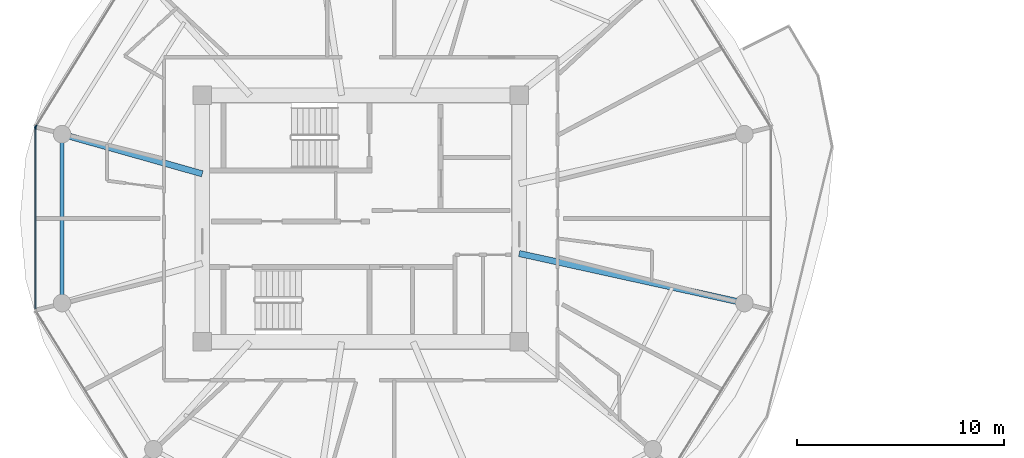
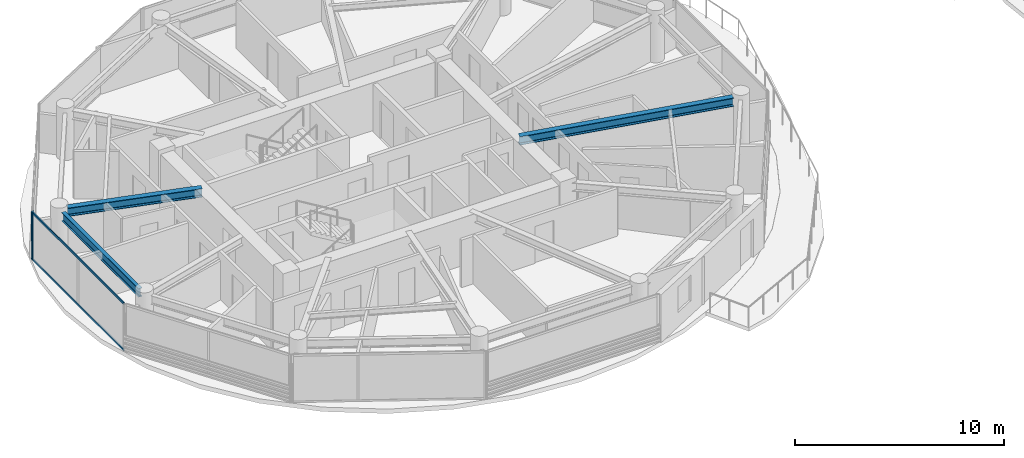
# One storey, part 3 of 22: 4 members, 3 beams, 2 elements without a shape of their own.
"""IFC4 building model written with IfcOpenShell, lengths in metres."""

from ifc_helpers import new_model, si_unit, direction, frame, origin, origin_2d, place, context, subcontext, project, spatial, rectangle, i_section, extrude, source, transform, mapped, material, layer, layer_set, material_profile, profile_set, type_object, type_shapes, element, aggregate, save


model = new_model("IFC4")

# Units and contexts
model_context = context("Model", 3, precision=1e-05, world=origin(), true_north=direction((0.0, 1.0)))
body_context = subcontext(model_context, "Body", "Model", "MODEL_VIEW")
ifc_project = project(units=[si_unit("LENGTHUNIT", "METRE"), si_unit("AREAUNIT", "SQUARE_METRE"), si_unit("VOLUMEUNIT", "CUBIC_METRE"), si_unit("PLANEANGLEUNIT", "RADIAN"), si_unit("MASSUNIT", "GRAM", prefix="KILO")], contexts=[model_context])

# Site, building, storey
site_placement = place(None, origin())
site = spatial("IfcSite", under=ifc_project, at=site_placement, CompositionType="ELEMENT")
building_placement = place(site_placement, origin())
building = spatial("IfcBuilding", under=site, at=building_placement, Name="Norrkilde Senior Care Towers", CompositionType="ELEMENT")
storey_placement = place(building_placement, frame((0.0, 0.0, 123.699951171875)))
storey = spatial("IfcBuildingStorey", under=building, at=storey_placement, Name="L38", CompositionType="ELEMENT", Elevation=123.699951171875)

# Beams
ifc_material_1 = material(Name="Steel S355", Category="steel")
ifc_material_profile_1 = material_profile(ifc_material_1, i_section(OverallWidth=0.300048828125, OverallDepth=0.5, WebThickness=0.014404296875, FlangeThickness=0.028076171875, FilletRadius=0.027099609375, at=origin_2d()), Name="HEB 500")
ifc_profile_set_1 = profile_set([ifc_material_profile_1], Name="Steel S355")
beam_type_1 = type_object("IfcBeamType", Name="Radial Floor Beam Z2 HEB500", PredefinedType="BEAM", material=ifc_profile_set_1)
shared_shape_1 = source(origin(), body_context, "Body", "SweptSolid", [
    extrude(i_section(OverallWidth=0.300048828125, OverallDepth=0.5, WebThickness=0.014404296875, FlangeThickness=0.028076171875, FilletRadius=0.027099609375, at=origin_2d()), origin(), (0.0, 0.0, 1.0), 10.744384765625),
])
beam_1_placement = place(storey_placement, frame((-20.35009765625, -1.683837890625, 2.5400390625), z_axis=(0.976618711422, -0.214978818724, 0.0), x_axis=(0.214978818724, 0.976618711422, 0.0)))
element("IfcBeam", 1, at=beam_1_placement, inside=storey, type_object=beam_type_1, Name="L38 Drum W Radial Floor Beam 12", PredefinedType="BEAM", context=body_context, shape_type="MappedRepresentation", body=[
    mapped(shared_shape_1, transform((0.0, 0.0, 0.0), x_axis=(1.0, 0.0, 0.0), y_axis=(0.0, 1.0, 0.0), z_axis=(0.0, 0.0, 1.0), scale=1.0)),
])
ifc_material_profile_2 = material_profile(ifc_material_1, i_section(OverallWidth=0.199951171875, OverallDepth=0.5, WebThickness=0.01025390625, FlangeThickness=0.01611328125, FilletRadius=0.02099609375, at=origin_2d()), Name="IPE 500")
ifc_profile_set_2 = profile_set([ifc_material_profile_2], Name="Steel S355")
beam_type_2 = type_object("IfcBeamType", Name="Perimeter Ring Spandrel Z2 IPE500", PredefinedType="SPANDREL", material=ifc_profile_set_2)
shared_shape_2 = source(origin(), body_context, "Body", "SweptSolid", [
    extrude(i_section(OverallWidth=0.199951171875, OverallDepth=0.5, WebThickness=0.01025390625, FlangeThickness=0.01611328125, FilletRadius=0.02099609375, at=origin_2d()), origin(), (0.0, 0.0, 1.0), 7.3828125),
])
type_shapes(beam_type_2, [shared_shape_2])
beam_2_placement = place(storey_placement, frame((-42.4189453125, 3.69140625, 2.5400390625), z_axis=(0.0, -1.0, 0.0), x_axis=(1.0, 0.0, 0.0)))
element("IfcBeam", 2, at=beam_2_placement, inside=storey, type_object=beam_type_2, Name="L38 Drum W Perimeter Spandrel 06", PredefinedType="SPANDREL", context=body_context, shape_type="MappedRepresentation", body=[
    mapped(shared_shape_2, transform((0.0, 0.0, 0.0), x_axis=(1.0, 0.0, 0.0), y_axis=(0.0, 1.0, 0.0), z_axis=(0.0, 0.0, 1.0), scale=1.0)),
])
shared_shape_3 = source(origin(), body_context, "Body", "SweptSolid", [
    extrude(i_section(OverallWidth=0.300048828125, OverallDepth=0.5, WebThickness=0.014404296875, FlangeThickness=0.028076171875, FilletRadius=0.027099609375, at=origin_2d()), origin(), (0.0, 0.0, 1.0), 6.6494140625),
])
type_shapes(beam_type_1, [shared_shape_1, shared_shape_3])
beam_3_placement = place(storey_placement, frame((-35.64990234375, 2.162841796875, 2.5400390625), z_axis=(-0.962289138357, 0.27202870106, 0.0), x_axis=(-0.27202870106, -0.962289138357, 0.0)))
element("IfcBeam", 3, at=beam_3_placement, inside=storey, type_object=beam_type_1, Name="L38 Drum W Radial Floor Beam 06", PredefinedType="BEAM", context=body_context, shape_type="MappedRepresentation", body=[
    mapped(shared_shape_3, transform((0.0, 0.0, 0.0), x_axis=(1.0, 0.0, 0.0), y_axis=(0.0, 1.0, 0.0), z_axis=(0.0, 0.0, 1.0), scale=1.0)),
])

# Curtain wall, member
ifc_material_2 = material(Name="Triple Low-E Insulated Glazing", Category="glass")
ifc_layer = layer(ifc_material_2, 0.195068359375)
ifc_layer_set = layer_set([ifc_layer], Name="Triple Low-E Insulated Glazing")
curtain_wall_type = type_object("IfcCurtainWallType", Name="CW3 Zone 2 Assisted Living Curtain Wall", PredefinedType="NOTDEFINED", material=ifc_layer_set)
curtain_wall_1_placement = place(storey_placement, origin())
curtain_wall_1 = element("IfcCurtainWall", 4, at=curtain_wall_1_placement, inside=storey, type_object=curtain_wall_type, Name="L38 Drum W Curtain Wall 04", PredefinedType="NOTDEFINED")
ifc_material_3 = material(Name="Anodised Aluminium", Category="aluminium")
ifc_material_profile_3 = material_profile(ifc_material_3, rectangle(XDim=0.06494140625, YDim=0.159912109375, at=origin_2d()), Name="ALU MULL 65x160")
ifc_profile_set_3 = profile_set([ifc_material_profile_3], Name="Anodised Aluminium")
member_type_1 = type_object("IfcMemberType", Name="Curtain Wall Mullion Z1-Z2 65x160", PredefinedType="MULLION", material=ifc_profile_set_3)
shared_shape_4 = source(origin(), body_context, "Body", "SweptSolid", [
    extrude(rectangle(XDim=0.06494140625, YDim=0.159912109375, at=origin_2d()), origin(), (0.0, 0.0, 1.0), 2.7900390625),
])
type_shapes(member_type_1, [shared_shape_4])
member_1_placement = place(storey_placement, frame((-43.6865234375, 4.4482421875, 0.0), z_axis=(0.0, 0.0, 1.0), x_axis=(-0.849410171862, 0.527733228002, 0.0)))
member_1 = element("IfcMember", 5, at=member_1_placement, type_object=member_type_1, Name="CW-3 mullion 1", PredefinedType="MULLION", context=body_context, shape_type="MappedRepresentation", body=[
    mapped(shared_shape_4, transform((0.0, 0.0, 0.0), x_axis=(1.0, 0.0, 0.0), y_axis=(0.0, 1.0, 0.0), z_axis=(0.0, 0.0, 1.0), scale=1.0)),
])
aggregate(curtain_wall_1, [member_1])

# Curtain wall, members
curtain_wall_2_placement = place(storey_placement, origin())
curtain_wall_2 = element("IfcCurtainWall", 6, at=curtain_wall_2_placement, inside=storey, type_object=curtain_wall_type, Name="L38 Drum W Curtain Wall 05", PredefinedType="NOTDEFINED")
member_2_placement = place(storey_placement, frame((-43.70361328125, 4.38818359375, 0.0), z_axis=(0.0, 0.0, 1.0), x_axis=(-1.0, 0.0, 0.0)))
member_2 = element("IfcMember", 7, at=member_2_placement, type_object=member_type_1, Name="CW-3 mullion 2", PredefinedType="MULLION", context=body_context, shape_type="MappedRepresentation", body=[
    mapped(shared_shape_4, transform((0.0, 0.0, 0.0), x_axis=(1.0, 0.0, 0.0), y_axis=(0.0, 1.0, 0.0), z_axis=(0.0, 0.0, 1.0), scale=1.0)),
])
ifc_material_profile_4 = material_profile(ifc_material_3, rectangle(XDim=0.06005859375, YDim=0.1201171875, at=origin_2d()), Name="ALU TRAN 60x120")
ifc_profile_set_4 = profile_set([ifc_material_profile_4], Name="Anodised Aluminium")
member_type_2 = type_object("IfcMemberType", Name="Curtain Wall Transom Typical 60x120", PredefinedType="USERDEFINED", material=ifc_profile_set_4)
shared_shape_5 = source(origin(), body_context, "Body", "SweptSolid", [
    extrude(rectangle(XDim=0.06005859375, YDim=0.1201171875, at=origin_2d()), origin(), (0.0, 0.0, 1.0), 8.71142578125),
])
type_shapes(member_type_2, [shared_shape_5])
member_3_placement = place(storey_placement, frame((-43.70361328125, -4.355712890625, 0.030029296875), z_axis=(0.0, 1.0, 0.0), x_axis=(-1.0, 0.0, 0.0)))
member_3 = element("IfcMember", 8, at=member_3_placement, type_object=member_type_2, Name="CW-3 transom 1.1", ObjectType="TRANSOM", PredefinedType="USERDEFINED", context=body_context, shape_type="MappedRepresentation", body=[
    mapped(shared_shape_5, transform((0.0, 0.0, 0.0), x_axis=(1.0, 0.0, 0.0), y_axis=(0.0, 1.0, 0.0), z_axis=(0.0, 0.0, 1.0), scale=1.0)),
])
member_4_placement = place(storey_placement, frame((-43.70361328125, -4.355712890625, 2.760009765625), z_axis=(0.0, 1.0, 0.0), x_axis=(-1.0, 0.0, 0.0)))
member_4 = element("IfcMember", 9, at=member_4_placement, type_object=member_type_2, Name="CW-3 transom 1.2", ObjectType="TRANSOM", PredefinedType="USERDEFINED", context=body_context, shape_type="MappedRepresentation", body=[
    mapped(shared_shape_5, transform((0.0, 0.0, 0.0), x_axis=(1.0, 0.0, 0.0), y_axis=(0.0, 1.0, 0.0), z_axis=(0.0, 0.0, 1.0), scale=1.0)),
])
aggregate(curtain_wall_2, [member_2, member_3, member_4])

save(model, "model.ifc")
